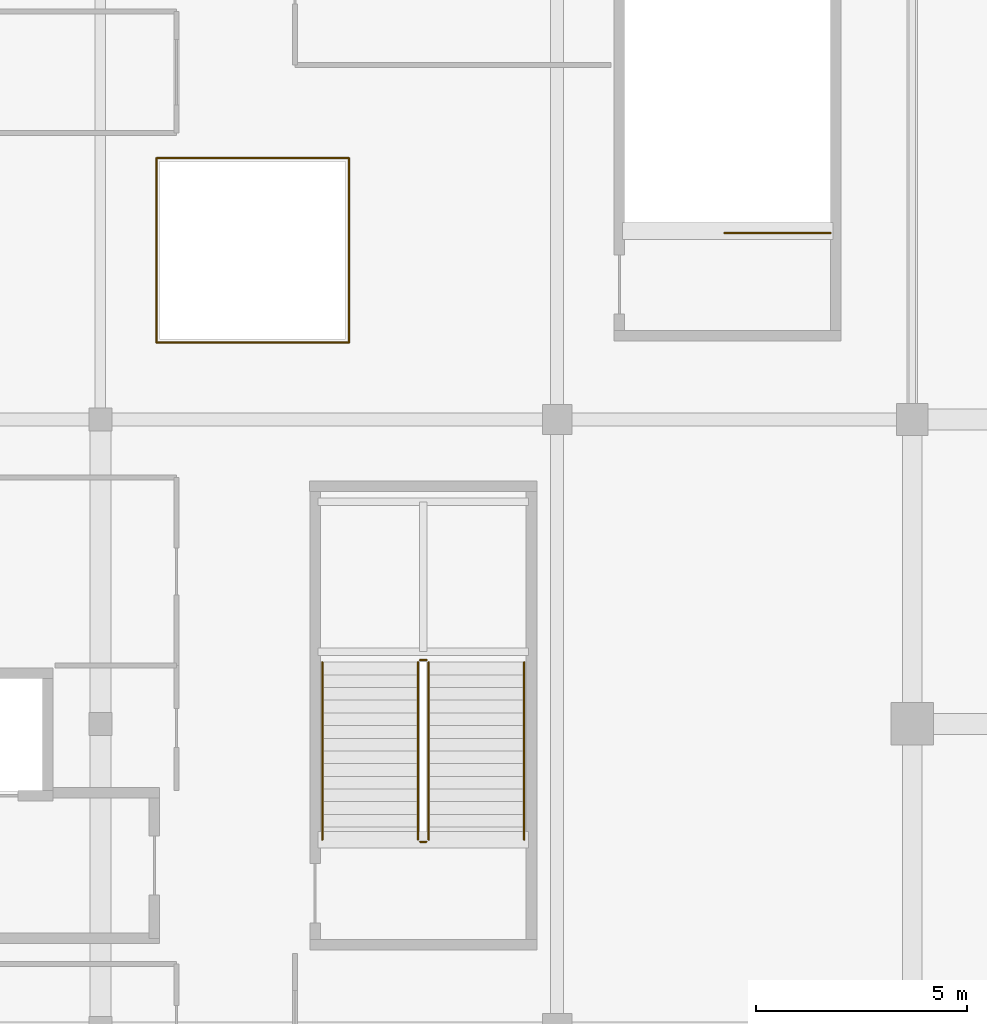
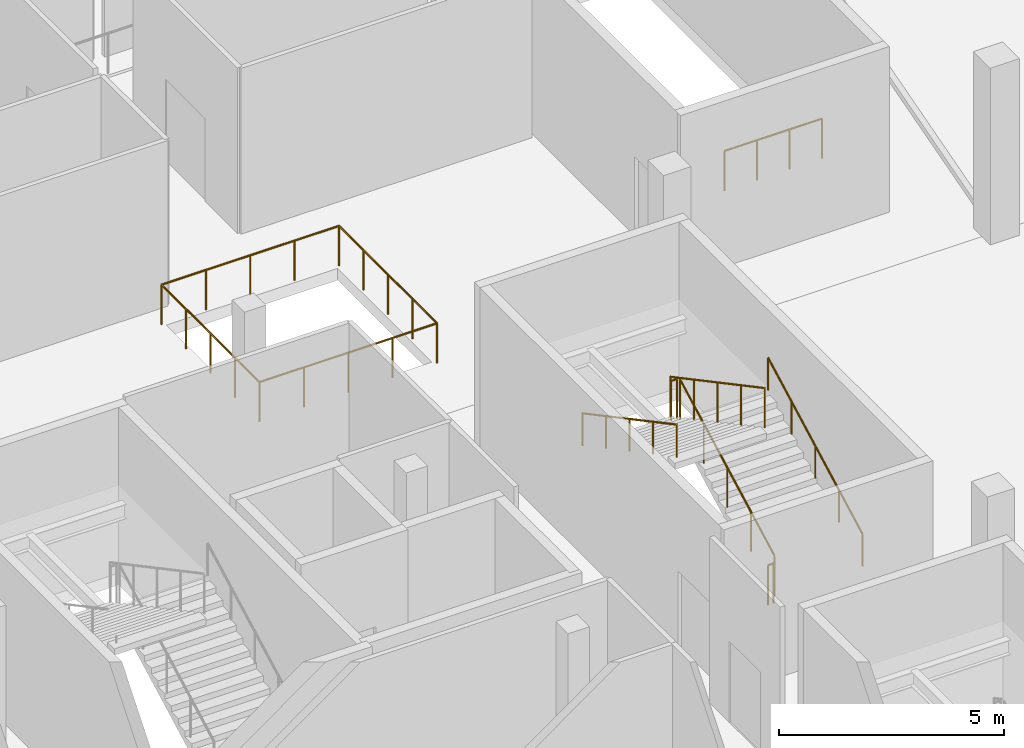
# One storey, part 108 of 129: 11 railings.
"""IFC4 building model written with IfcOpenShell, lengths in metres."""

from ifc_helpers import new_model, si_unit, direction, frame, origin, origin_2d, place, context, subcontext, project, spatial, circle, extrude, material, type_object, element, save


model = new_model("IFC4")

# Units and contexts
model_context = context("Model", 3, precision=1e-05, world=origin(), true_north=direction((0.0, 1.0)))
body_context = subcontext(model_context, "Body", "Model", "MODEL_VIEW")
ifc_project = project(units=[si_unit("LENGTHUNIT", "METRE"), si_unit("AREAUNIT", "SQUARE_METRE"), si_unit("VOLUMEUNIT", "CUBIC_METRE"), si_unit("PLANEANGLEUNIT", "RADIAN"), si_unit("MASSUNIT", "GRAM", prefix="KILO")], contexts=[model_context])

# Site, building, storey
site_placement = place(None, origin())
site = spatial("IfcSite", under=ifc_project, at=site_placement, CompositionType="ELEMENT")
building_placement = place(site_placement, origin())
building = spatial("IfcBuilding", under=site, at=building_placement, Name="Koshinbarg Plaza Stadium", CompositionType="ELEMENT")
storey_placement = place(building_placement, frame((0.0, 0.0, 5.39990234375)))
storey = spatial("IfcBuildingStorey", under=building, at=storey_placement, Name="L01", CompositionType="ELEMENT", Elevation=5.39990234375)

# Railings
ifc_material_1 = material(Name="Toughened laminated glass and stainless steel sightline balustrade", Category="steel")
railing_type_1 = type_object("IfcRailingType", Name="RL-BOWL-1100", PredefinedType="BALUSTRADE", material=ifc_material_1)
railing_1_placement = place(storey_placement, frame((36.719970703125, 113.719970703125, 0.0)))
element("IfcRailing", 1, at=railing_1_placement, inside=storey, type_object=railing_type_1, Name="L01 atrium light-well balustrade 0027", PredefinedType="BALUSTRADE", context=body_context, shape_type="SweptSolid", body=[
    extrude(circle(Radius=0.02392578125, at=origin_2d()), frame((0.0, 0.0, 1.076171875), z_axis=(1.0, 0.0, 0.0), x_axis=(0.0, 1.0, 0.0)), (0.0, 0.0, 1.0), 4.56005859375),
    extrude(circle(Radius=0.02099609375, at=origin_2d()), origin(), (0.0, 0.0, 1.0), 1.052001953125),
    extrude(circle(Radius=0.02099609375, at=origin_2d()), frame((1.14013671875, 0.0, 0.0)), (0.0, 0.0, 1.0), 1.052001953125),
    extrude(circle(Radius=0.02099609375, at=origin_2d()), frame((2.280029296875, 0.0, 0.0)), (0.0, 0.0, 1.0), 1.052001953125),
    extrude(circle(Radius=0.02099609375, at=origin_2d()), frame((3.419921875, 0.0, 0.0)), (0.0, 0.0, 1.0), 1.052001953125),
    extrude(circle(Radius=0.02099609375, at=origin_2d()), frame((4.56005859375, 0.0, 0.0)), (0.0, 0.0, 1.0), 1.052001953125),
])
railing_2_placement = place(storey_placement, frame((41.280029296875, 113.719970703125, 0.0)))
element("IfcRailing", 2, at=railing_2_placement, inside=storey, type_object=railing_type_1, Name="L01 atrium light-well balustrade 0028", PredefinedType="BALUSTRADE", context=body_context, shape_type="SweptSolid", body=[
    extrude(circle(Radius=0.02392578125, at=origin_2d()), frame((0.0, 0.0, 1.076171875), z_axis=(0.0, 1.0, 0.0), x_axis=(-1.0, 0.0, 0.0)), (0.0, 0.0, 1.0), 4.360107421875),
    extrude(circle(Radius=0.02099609375, at=origin_2d()), origin(), (0.0, 0.0, 1.0), 1.052001953125),
    extrude(circle(Radius=0.02099609375, at=origin_2d()), frame((0.0, 1.090087890625, 0.0)), (0.0, 0.0, 1.0), 1.052001953125),
    extrude(circle(Radius=0.02099609375, at=origin_2d()), frame((0.0, 2.18017578125, 0.0)), (0.0, 0.0, 1.0), 1.052001953125),
    extrude(circle(Radius=0.02099609375, at=origin_2d()), frame((0.0, 3.27001953125, 0.0)), (0.0, 0.0, 1.0), 1.052001953125),
    extrude(circle(Radius=0.02099609375, at=origin_2d()), frame((0.0, 4.360107421875, 0.0)), (0.0, 0.0, 1.0), 1.052001953125),
])
railing_3_placement = place(storey_placement, frame((41.280029296875, 118.080078125, 0.0)))
element("IfcRailing", 3, at=railing_3_placement, inside=storey, type_object=railing_type_1, Name="L01 atrium light-well balustrade 0029", PredefinedType="BALUSTRADE", context=body_context, shape_type="SweptSolid", body=[
    extrude(circle(Radius=0.02392578125, at=origin_2d()), frame((0.0, 0.0, 1.076171875), z_axis=(-1.0, 0.0, 0.0), x_axis=(0.0, -1.0, 0.0)), (0.0, 0.0, 1.0), 4.56005859375),
    extrude(circle(Radius=0.02099609375, at=origin_2d()), origin(), (0.0, 0.0, 1.0), 1.052001953125),
    extrude(circle(Radius=0.02099609375, at=origin_2d()), frame((-1.14013671875, 0.0, 0.0)), (0.0, 0.0, 1.0), 1.052001953125),
    extrude(circle(Radius=0.02099609375, at=origin_2d()), frame((-2.280029296875, 0.0, 0.0)), (0.0, 0.0, 1.0), 1.052001953125),
    extrude(circle(Radius=0.02099609375, at=origin_2d()), frame((-3.419921875, 0.0, 0.0)), (0.0, 0.0, 1.0), 1.052001953125),
    extrude(circle(Radius=0.02099609375, at=origin_2d()), frame((-4.56005859375, 0.0, 0.0)), (0.0, 0.0, 1.0), 1.052001953125),
])
railing_4_placement = place(storey_placement, frame((36.719970703125, 118.080078125, 0.0)))
element("IfcRailing", 4, at=railing_4_placement, inside=storey, type_object=railing_type_1, Name="L01 atrium light-well balustrade 0030", PredefinedType="BALUSTRADE", context=body_context, shape_type="SweptSolid", body=[
    extrude(circle(Radius=0.02392578125, at=origin_2d()), frame((0.0, 0.0, 1.076171875), z_axis=(0.0, -1.0, 0.0), x_axis=(1.0, 0.0, 0.0)), (0.0, 0.0, 1.0), 4.360107421875),
    extrude(circle(Radius=0.02099609375, at=origin_2d()), origin(), (0.0, 0.0, 1.0), 1.052001953125),
    extrude(circle(Radius=0.02099609375, at=origin_2d()), frame((0.0, -1.090087890625, 0.0)), (0.0, 0.0, 1.0), 1.052001953125),
    extrude(circle(Radius=0.02099609375, at=origin_2d()), frame((0.0, -2.18017578125, 0.0)), (0.0, 0.0, 1.0), 1.052001953125),
    extrude(circle(Radius=0.02099609375, at=origin_2d()), frame((0.0, -3.27001953125, 0.0)), (0.0, 0.0, 1.0), 1.052001953125),
    extrude(circle(Radius=0.02099609375, at=origin_2d()), frame((0.0, -4.360107421875, 0.0)), (0.0, 0.0, 1.0), 1.052001953125),
])
ifc_material_2 = material(Name="Galvanized painted steel guardrail", Category="steel")
railing_type_2 = type_object("IfcRailingType", Name="RL-GUARD-1100", PredefinedType="GUARDRAIL", material=ifc_material_2)
railing_5_placement = place(storey_placement, frame((43.159912109375, 101.9599609375, 0.16015625)))
element("IfcRailing", 5, at=railing_5_placement, inside=storey, type_object=railing_type_2, Name="L01 VX06 stair guard 1", PredefinedType="GUARDRAIL", context=body_context, shape_type="SweptSolid", body=[
    extrude(circle(Radius=0.02392578125, at=origin_2d()), frame((0.0, 0.0, 1.076171875), z_axis=(0.0, 0.882351521365, 0.470590897432), x_axis=(-1.0, 0.0, 0.0)), (0.0, 0.0, 1.0), 4.760009765625),
    extrude(circle(Radius=0.02099609375, at=origin_2d()), origin(), (0.0, 0.0, 1.0), 1.052001953125),
    extrude(circle(Radius=0.02099609375, at=origin_2d()), frame((0.0, 1.050048828125, 0.56005859375)), (0.0, 0.0, 1.0), 1.052001953125),
    extrude(circle(Radius=0.02099609375, at=origin_2d()), frame((0.0, 2.10009765625, 1.1201171875)), (0.0, 0.0, 1.0), 1.052001953125),
    extrude(circle(Radius=0.02099609375, at=origin_2d()), frame((0.0, 3.14990234375, 1.679931640625)), (0.0, 0.0, 1.0), 1.052001953125),
    extrude(circle(Radius=0.02099609375, at=origin_2d()), frame((0.0, 4.199951171875, 2.239990234375)), (0.0, 0.0, 1.0), 1.052001953125),
])
railing_6_placement = place(storey_placement, frame((43.110107421875, 106.2099609375, 2.400146484375)))
element("IfcRailing", 6, at=railing_6_placement, inside=storey, type_object=railing_type_2, Name="L01 VX06 stair guard 2", PredefinedType="GUARDRAIL", context=body_context, shape_type="SweptSolid", body=[
    extrude(circle(Radius=0.02392578125, at=origin_2d()), frame((0.0, 0.0, 1.076171875), z_axis=(-1.0, 0.0, 0.0), x_axis=(0.0, -1.0, 0.0)), (0.0, 0.0, 1.0), 0.150146484375),
    extrude(circle(Radius=0.02099609375, at=origin_2d()), origin(), (0.0, 0.0, 1.0), 1.052001953125),
    extrude(circle(Radius=0.02099609375, at=origin_2d()), frame((-0.150146484375, 0.0, 0.0)), (0.0, 0.0, 1.0), 1.052001953125),
])
railing_7_placement = place(storey_placement, frame((42.909912109375, 106.159912109375, 2.56005859375)))
element("IfcRailing", 7, at=railing_7_placement, inside=storey, type_object=railing_type_2, Name="L01 VX06 stair guard 3", PredefinedType="GUARDRAIL", context=body_context, shape_type="SweptSolid", body=[
    extrude(circle(Radius=0.02392578125, at=origin_2d()), frame((0.0, 0.0, 1.076171875), z_axis=(0.0, -0.882351521365, 0.470590897432), x_axis=(1.0, 0.0, 0.0)), (0.0, 0.0, 1.0), 4.760009765625),
    extrude(circle(Radius=0.02099609375, at=origin_2d()), origin(), (0.0, 0.0, 1.0), 1.052001953125),
    extrude(circle(Radius=0.02099609375, at=origin_2d()), frame((0.0, -1.050048828125, 0.56005859375)), (0.0, 0.0, 1.0), 1.052001953125),
    extrude(circle(Radius=0.02099609375, at=origin_2d()), frame((0.0, -2.10009765625, 1.1201171875)), (0.0, 0.0, 1.0), 1.052001953125),
    extrude(circle(Radius=0.02099609375, at=origin_2d()), frame((0.0, -3.14990234375, 1.679931640625)), (0.0, 0.0, 1.0), 1.052001953125),
    extrude(circle(Radius=0.02099609375, at=origin_2d()), frame((0.0, -4.199951171875, 2.239990234375)), (0.0, 0.0, 1.0), 1.052001953125),
])
railing_8_placement = place(storey_placement, frame((43.110107421875, 101.909912109375, 0.0)))
element("IfcRailing", 8, at=railing_8_placement, inside=storey, type_object=railing_type_2, Name="L01 VX06 stair guard 4", PredefinedType="GUARDRAIL", context=body_context, shape_type="SweptSolid", body=[
    extrude(circle(Radius=0.02392578125, at=origin_2d()), frame((0.0, 0.0, 1.076171875), z_axis=(-1.0, 0.0, 0.0), x_axis=(0.0, -1.0, 0.0)), (0.0, 0.0, 1.0), 0.150146484375),
    extrude(circle(Radius=0.02099609375, at=origin_2d()), origin(), (0.0, 0.0, 1.0), 1.052001953125),
    extrude(circle(Radius=0.02099609375, at=origin_2d()), frame((-0.150146484375, 0.0, 0.0)), (0.0, 0.0, 1.0), 1.052001953125),
])
railing_9_placement = place(storey_placement, frame((52.669921875, 116.31005859375, 0.0)))
element("IfcRailing", 9, at=railing_9_placement, inside=storey, type_object=railing_type_2, Name="L01 VL04 top stairwell guard 1", PredefinedType="GUARDRAIL", context=body_context, shape_type="SweptSolid", body=[
    extrude(circle(Radius=0.02392578125, at=origin_2d()), frame((0.0, 0.0, 1.076171875), z_axis=(-1.0, 0.0, 0.0), x_axis=(0.0, -1.0, 0.0)), (0.0, 0.0, 1.0), 2.510009765625),
    extrude(circle(Radius=0.02099609375, at=origin_2d()), origin(), (0.0, 0.0, 1.0), 1.052001953125),
    extrude(circle(Radius=0.02099609375, at=origin_2d()), frame((-0.836669921875, 0.0, 0.0)), (0.0, 0.0, 1.0), 1.052001953125),
    extrude(circle(Radius=0.02099609375, at=origin_2d()), frame((-1.67333984375, 0.0, 0.0)), (0.0, 0.0, 1.0), 1.052001953125),
    extrude(circle(Radius=0.02099609375, at=origin_2d()), frame((-2.510009765625, 0.0, 0.0)), (0.0, 0.0, 1.0), 1.052001953125),
])
ifc_material_3 = material(Name="Brushed stainless steel handrail", Category="steel")
railing_type_3 = type_object("IfcRailingType", Name="RL-HAND-900", PredefinedType="HANDRAIL", material=ifc_material_3)
railing_10_placement = place(storey_placement, frame((45.419921875, 101.9599609375, 0.16015625)))
element("IfcRailing", 10, at=railing_10_placement, inside=storey, type_object=railing_type_3, Name="L01 VX06 stair handrail 1", PredefinedType="HANDRAIL", context=body_context, shape_type="SweptSolid", body=[
    extrude(circle(Radius=0.02392578125, at=origin_2d()), frame((0.0, 0.0, 0.8759765625), z_axis=(0.0, 0.882351521365, 0.470590897432), x_axis=(-1.0, 0.0, 0.0)), (0.0, 0.0, 1.0), 4.760009765625),
    extrude(circle(Radius=0.02099609375, at=origin_2d()), origin(), (0.0, 0.0, 1.0), 0.851806640625),
    extrude(circle(Radius=0.02099609375, at=origin_2d()), frame((0.0, 1.050048828125, 0.56005859375)), (0.0, 0.0, 1.0), 0.851806640625),
    extrude(circle(Radius=0.02099609375, at=origin_2d()), frame((0.0, 2.10009765625, 1.1201171875)), (0.0, 0.0, 1.0), 0.851806640625),
    extrude(circle(Radius=0.02099609375, at=origin_2d()), frame((0.0, 3.14990234375, 1.679931640625)), (0.0, 0.0, 1.0), 0.851806640625),
    extrude(circle(Radius=0.02099609375, at=origin_2d()), frame((0.0, 4.199951171875, 2.239990234375)), (0.0, 0.0, 1.0), 0.851806640625),
])
railing_11_placement = place(storey_placement, frame((40.64990234375, 106.159912109375, 2.56005859375)))
element("IfcRailing", 11, at=railing_11_placement, inside=storey, type_object=railing_type_3, Name="L01 VX06 stair handrail 2", PredefinedType="HANDRAIL", context=body_context, shape_type="SweptSolid", body=[
    extrude(circle(Radius=0.02392578125, at=origin_2d()), frame((0.0, 0.0, 0.8759765625), z_axis=(0.0, -0.882351521365, 0.470590897432), x_axis=(1.0, 0.0, 0.0)), (0.0, 0.0, 1.0), 4.760009765625),
    extrude(circle(Radius=0.02099609375, at=origin_2d()), origin(), (0.0, 0.0, 1.0), 0.851806640625),
    extrude(circle(Radius=0.02099609375, at=origin_2d()), frame((0.0, -1.050048828125, 0.56005859375)), (0.0, 0.0, 1.0), 0.851806640625),
    extrude(circle(Radius=0.02099609375, at=origin_2d()), frame((0.0, -2.10009765625, 1.1201171875)), (0.0, 0.0, 1.0), 0.851806640625),
    extrude(circle(Radius=0.02099609375, at=origin_2d()), frame((0.0, -3.14990234375, 1.679931640625)), (0.0, 0.0, 1.0), 0.851806640625),
    extrude(circle(Radius=0.02099609375, at=origin_2d()), frame((0.0, -4.199951171875, 2.239990234375)), (0.0, 0.0, 1.0), 0.851806640625),
])

save(model, "model.ifc")
